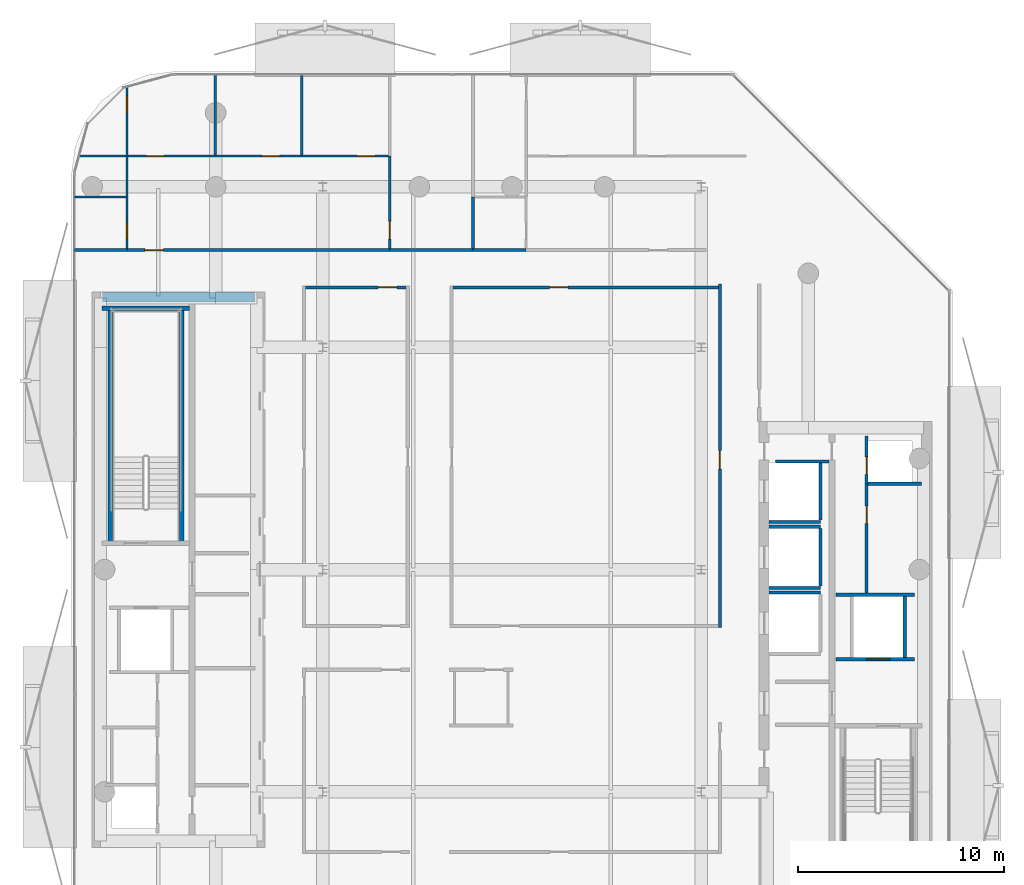
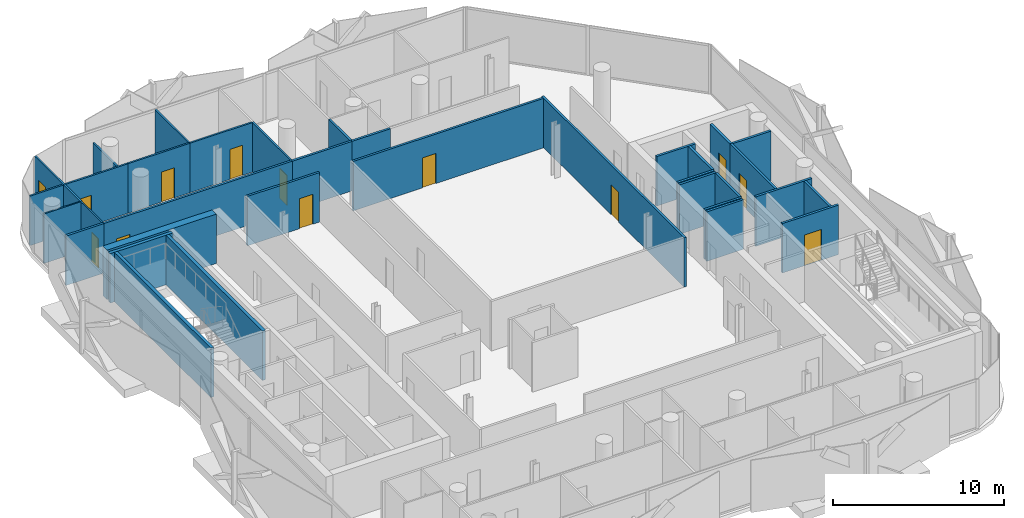
# One storey, part 7 of 16: 35 walls, 13 doors, 13 openings.
"""IFC4 building model written with IfcOpenShell, lengths in metres."""

from ifc_helpers import new_model, si_unit, direction, frame, frame_2d, origin, place, context, subcontext, project, spatial, rectangle, extrude, material, layer, layer_set, type_object, element, fill, save


model = new_model("IFC4")

# Units and contexts
model_context = context("Model", 3, precision=1e-05, world=origin(), true_north=direction((0.0, 1.0)))
body_context = subcontext(model_context, "Body", "Model", "MODEL_VIEW")
ifc_project = project(units=[si_unit("LENGTHUNIT", "METRE"), si_unit("AREAUNIT", "SQUARE_METRE"), si_unit("VOLUMEUNIT", "CUBIC_METRE"), si_unit("PLANEANGLEUNIT", "RADIAN"), si_unit("MASSUNIT", "GRAM", prefix="KILO")], contexts=[model_context])

# Site, building, storey
site_placement = place(None, origin())
site = spatial("IfcSite", under=ifc_project, at=site_placement, CompositionType="ELEMENT")
building_placement = place(site_placement, origin())
building = spatial("IfcBuilding", under=site, at=building_placement, Name="Khairoan Windgate Tower", CompositionType="ELEMENT")
storey_placement = place(building_placement, frame((0.0, 0.0, 281.39990234375)))
storey = spatial("IfcBuildingStorey", under=building, at=storey_placement, Name="L67", CompositionType="ELEMENT", Elevation=281.39990234375)

# Wall
ifc_material_1 = material(Name="Moisture-Resistant Gypsum Partition", Category="gypsum")
ifc_layer_1 = layer(ifc_material_1, 0.10009765625, Name="Moisture-Resistant Gypsum Partition")
ifc_layer_set_1 = layer_set([ifc_layer_1], Name="Moisture-Resistant Gypsum Partition")
wall_type_1 = type_object("IfcWallType", Name="Bathroom Wet-Area Partition Wall", PredefinedType="PARTITIONING", material=ifc_layer_set_1)
wall_1_placement = place(storey_placement, frame((-21.2548828125, 18.10009765625, 0.0), z_axis=(0.0, 0.0, 1.0), x_axis=(1.0, 0.0, 0.0)))
element("IfcWall", 1, at=wall_1_placement, inside=storey, type_object=wall_type_1, Name="L67 Interior Partition 035", PredefinedType="PARTITIONING", context=body_context, shape_type="SweptSolid", body=[
    extrude(rectangle(XDim=2.494873046875, YDim=0.10009765625, at=frame_2d((1.24755859375, 0.0))), origin(), (0.0, 0.0, 1.0), 3.5400390625),
])

# Wall, opening, door
wall_2_placement = place(storey_placement, frame((-18.7099609375, 15.60009765625, 0.0), z_axis=(0.0, 0.0, 1.0), x_axis=(0.0, 1.0, 0.0)))
wall_2 = element("IfcWall", 2, at=wall_2_placement, inside=storey, type_object=wall_type_1, Name="L67 Interior Partition 036", PredefinedType="PARTITIONING", context=body_context, shape_type="SweptSolid", body=[
    extrude(rectangle(XDim=2.5, YDim=0.10009765625, at=frame_2d((1.25, 0.0))), origin(), (0.0, 0.0, 1.0), 3.5400390625),
])
opening_1_placement = place(wall_2_placement, frame((0.4599609375, 0.0, 0.0)))
opening_1 = element("IfcOpeningElement", 3, at=opening_1_placement, cuts=wall_2, Name="Opening ID-BTH", PredefinedType="OPENING", context=body_context, shape_type="SweptSolid", body=[
    extrude(rectangle(XDim=0.800048828125, YDim=2.10009765625, at=frame_2d((0.39990234375, 1.050048828125))), frame((0.0, 0.06005859375, 0.0), z_axis=(0.0, -1.0, 0.0), x_axis=(1.0, 0.0, 0.0)), (0.0, 0.0, 1.0), 0.1201171875),
])
ifc_material_2 = material(Name="Teak Veneer Timber Leaf", Category="wood")
door_type_1 = type_object("IfcDoorType", Name="Internal Bathroom Door ID-BTH 800x2100", OperationType="NOTDEFINED", PredefinedType="DOOR", material=ifc_material_2)
door_1_placement = place(opening_1_placement, origin())
door_1 = element("IfcDoor", 4, at=door_1_placement, inside=storey, type_object=door_type_1, Name="L67 L67-32-L67-34 Door", OperationType="SINGLE_SWING_RIGHT", OverallHeight=2.10009765625, OverallWidth=0.800048828125, PredefinedType="DOOR", context=body_context, shape_type="SweptSolid", body=[
    extrude(rectangle(XDim=0.800048828125, YDim=2.10009765625, at=frame_2d((0.39990234375, 1.050048828125))), frame((0.0, 0.02490234375, 0.0), z_axis=(0.0, -1.0, 0.0), x_axis=(1.0, 0.0, 0.0)), (0.0, 0.0, 1.0), 0.050048828125),
])
fill(opening_1, door_1)

# Walls
ifc_material_3 = material(Name="Concrete C40/50", Category="concrete")
ifc_layer_2 = layer(ifc_material_3, 0.159912109375, Name="Concrete C40/50")
ifc_layer_set_2 = layer_set([ifc_layer_2], Name="Concrete C40/50")
wall_type_2 = type_object("IfcWallType", Name="Core and Hoistway Enclosure Wall", PredefinedType="STANDARD", material=ifc_layer_set_2)
wall_3_placement = place(storey_placement, frame((12.5, 2.31005859375, 0.0), z_axis=(0.0, 0.0, 1.0), x_axis=(1.0, 0.0, 0.0)))
element("IfcWall", 5, at=wall_3_placement, inside=storey, type_object=wall_type_2, Name="L67 Lift PL7 Hoistway Divider S", PredefinedType="STANDARD", context=body_context, shape_type="SweptSolid", body=[
    extrude(rectangle(XDim=2.489990234375, YDim=0.159912109375, at=frame_2d((1.2451171875, 0.0))), origin(), (0.0, 0.0, 1.0), 3.5400390625),
])
wall_4_placement = place(storey_placement, frame((14.989990234375, 2.39990234375, 0.0), z_axis=(0.0, 0.0, 1.0), x_axis=(0.0, 1.0, 0.0)))
element("IfcWall", 6, at=wall_4_placement, inside=storey, type_object=wall_type_2, Name="L67 Lift PL7 Hoistway Back Wall", PredefinedType="STANDARD", context=body_context, shape_type="SweptSolid", body=[
    extrude(rectangle(XDim=2.800048828125, YDim=0.159912109375, at=frame_2d((1.39990234375, 0.0))), origin(), (0.0, 0.0, 1.0), 3.5400390625),
])
for number, where, z_axis, x_axis, name in (
    (7, (12.5, -0.889892578125, 0.0), (0.0, 0.0, 1.0), (1.0, 0.0, 0.0), "L67 Lift PL8 Hoistway Divider S"),
    (8, (12.5, 2.090087890625, 0.0), (0.0, 0.0, 1.0), (1.0, 0.0, 0.0), "L67 Lift PL8 Hoistway Divider N"),
):
    element("IfcWall", number, at=place(storey_placement, frame(where, z_axis=z_axis, x_axis=x_axis)), inside=storey, type_object=wall_type_2, Name=name, PredefinedType="STANDARD", context=body_context, shape_type="SweptSolid", body=[
        extrude(rectangle(XDim=2.489990234375, YDim=0.159912109375, at=frame_2d((1.2451171875, 0.0))), origin(), (0.0, 0.0, 1.0), 3.5400390625),
    ])
wall_5_placement = place(storey_placement, frame((14.989990234375, -0.800048828125, 0.0), z_axis=(0.0, 0.0, 1.0), x_axis=(0.0, 1.0, 0.0)))
element("IfcWall", 9, at=wall_5_placement, inside=storey, type_object=wall_type_2, Name="L67 Lift PL8 Hoistway Back Wall", PredefinedType="STANDARD", context=body_context, shape_type="SweptSolid", body=[
    extrude(rectangle(XDim=2.800048828125, YDim=0.159912109375, at=frame_2d((1.39990234375, 0.0))), origin(), (0.0, 0.0, 1.0), 3.5400390625),
])
wall_6_placement = place(storey_placement, frame((12.5, -1.110107421875, 0.0), z_axis=(0.0, 0.0, 1.0), x_axis=(1.0, 0.0, 0.0)))
element("IfcWall", 10, at=wall_6_placement, inside=storey, type_object=wall_type_2, Name="L67 Lift PL9 Hoistway Divider N", PredefinedType="STANDARD", context=body_context, shape_type="SweptSolid", body=[
    extrude(rectangle(XDim=2.489990234375, YDim=0.159912109375, at=frame_2d((1.2451171875, 0.0))), origin(), (0.0, 0.0, 1.0), 3.5400390625),
])

# Wall, opening, door
wall_7_placement = place(storey_placement, frame((15.75, -4.360107421875, 0.0), z_axis=(0.0, 0.0, 1.0), x_axis=(1.0, 0.0, 0.0)))
wall_7 = element("IfcWall", 11, at=wall_7_placement, inside=storey, type_object=wall_type_2, Name="L67 Core Shaft Wall SW-FL1-L67", PredefinedType="STANDARD", context=body_context, shape_type="SweptSolid", body=[
    extrude(rectangle(XDim=3.800048828125, YDim=0.159912109375, at=frame_2d((1.89990234375, 0.0))), origin(), (0.0, 0.0, 1.0), 3.5400390625),
])
opening_2_placement = place(wall_7_placement, frame((1.469970703125, 0.0, 0.0)))
opening_2 = element("IfcOpeningElement", 12, at=opening_2_placement, cuts=wall_7, Name="Opening LD-FL", PredefinedType="OPENING", context=body_context, shape_type="SweptSolid", body=[
    extrude(rectangle(XDim=1.14990234375, YDim=2.199951171875, at=frame_2d((0.574951171875, 1.10009765625))), frame((0.0, 0.08984375, 0.0), z_axis=(0.0, -1.0, 0.0), x_axis=(1.0, 0.0, 0.0)), (0.0, 0.0, 1.0), 0.179931640625),
])
ifc_material_4 = material(Name="Steel S355", Category="steel")
door_type_2 = type_object("IfcDoorType", Name="Firefighting Lift Sliding Landing Door LD-FL 1150x2200", OperationType="DOUBLE_DOOR_SLIDING", PredefinedType="DOOR", material=ifc_material_4)
door_2_placement = place(opening_2_placement, origin())
door_2 = element("IfcDoor", 13, at=door_2_placement, inside=storey, type_object=door_type_2, Name="L67 Firefighting Lift FL1 Landing Door", OperationType="DOUBLE_DOOR_SLIDING", OverallHeight=2.199951171875, OverallWidth=1.14990234375, PredefinedType="DOOR", context=body_context, shape_type="SweptSolid", body=[
    extrude(rectangle(XDim=1.14990234375, YDim=2.199951171875, at=frame_2d((0.574951171875, 1.10009765625))), frame((0.0, 0.02490234375, 0.0), z_axis=(0.0, -1.0, 0.0), x_axis=(1.0, 0.0, 0.0)), (0.0, 0.0, 1.0), 0.050048828125),
])
fill(opening_2, door_2)

# Walls
wall_8_placement = place(storey_placement, frame((15.75, -1.219970703125, 0.0), z_axis=(0.0, 0.0, 1.0), x_axis=(1.0, 0.0, 0.0)))
element("IfcWall", 14, at=wall_8_placement, inside=storey, type_object=wall_type_2, Name="L67 Core Shaft Wall SW-FL1T-L67", PredefinedType="STANDARD", context=body_context, shape_type="SweptSolid", body=[
    extrude(rectangle(XDim=3.800048828125, YDim=0.159912109375, at=frame_2d((1.89990234375, 0.0))), origin(), (0.0, 0.0, 1.0), 3.5400390625),
])
wall_9_placement = place(storey_placement, frame((19.080078125, -4.280029296875, 0.0), z_axis=(0.0, 0.0, 1.0), x_axis=(0.0, 1.0, 0.0)))
element("IfcWall", 15, at=wall_9_placement, inside=storey, type_object=wall_type_2, Name="L67 Core Shaft Wall SW-FL1E-L67", PredefinedType="STANDARD", context=body_context, shape_type="SweptSolid", body=[
    extrude(rectangle(XDim=2.97998046875, YDim=0.159912109375, at=frame_2d((1.489990234375, 0.0))), origin(), (0.0, 0.0, 1.0), 3.5400390625),
])
wall_10_placement = place(storey_placement, frame((12.800048828125, 5.25, 0.0), z_axis=(0.0, 0.0, 1.0), x_axis=(1.0, 0.0, 0.0)))
element("IfcWall", 16, at=wall_10_placement, inside=storey, type_object=wall_type_2, Name="L67 Core Shaft Wall SW-ESV-L67", PredefinedType="STANDARD", context=body_context, shape_type="SweptSolid", body=[
    extrude(rectangle(XDim=2.599853515625, YDim=0.159912109375, at=frame_2d((1.2998046875, 0.0))), origin(), (0.0, 0.0, 1.0), 3.5400390625),
])
ifc_material_5 = material(Name="Acoustic Fire-Rated Gypsum Partition", Category="gypsum")
ifc_layer_3 = layer(ifc_material_5, 0.139892578125, Name="Acoustic Fire-Rated Gypsum Partition")
ifc_layer_set_3 = layer_set([ifc_layer_3], Name="Acoustic Fire-Rated Gypsum Partition")
wall_type_3 = type_object("IfcWallType", Name="Inter-Tenancy Compartment Wall", PredefinedType="PARTITIONING", material=ifc_layer_set_3)
wall_11_placement = place(storey_placement, frame((-1.89990234375, 15.60009765625, 0.0), z_axis=(0.0, 0.0, 1.0), x_axis=(0.0, 1.0, 0.0)))
element("IfcWall", 17, at=wall_11_placement, inside=storey, type_object=wall_type_3, Name="L67 Interior Partition 044", PredefinedType="PARTITIONING", context=body_context, shape_type="SweptSolid", body=[
    extrude(rectangle(XDim=2.5, YDim=0.139892578125, at=frame_2d((1.25, 0.0))), origin(), (0.0, 0.0, 1.0), 3.5400390625),
])
ifc_material_6 = material(Name="Gypsum Stud Partition", Category="gypsum")
ifc_layer_4 = layer(ifc_material_6, 0.1201171875, Name="Gypsum Stud Partition")
ifc_layer_set_4 = layer_set([ifc_layer_4], Name="Gypsum Stud Partition")
wall_type_4 = type_object("IfcWallType", Name="Internal Room Partition Wall", PredefinedType="PARTITIONING", material=ifc_layer_set_4)
wall_12_placement = place(storey_placement, frame((-18.7099609375, 18.10009765625, 0.0), z_axis=(0.0, 0.0, 1.0), x_axis=(0.0, 1.0, 0.0)))
element("IfcWall", 18, at=wall_12_placement, inside=storey, type_object=wall_type_4, Name="L67 Interior Partition 037", PredefinedType="PARTITIONING", context=body_context, shape_type="SweptSolid", body=[
    extrude(rectangle(XDim=2.0, YDim=0.1201171875, at=frame_2d((1.0, 0.0))), origin(), (0.0, 0.0, 1.0), 3.5400390625),
])

# Wall, opening, door
wall_13_placement = place(storey_placement, frame((-18.7099609375, 20.10009765625, 0.0), z_axis=(0.0, 0.0, 1.0), x_axis=(0.0, 1.0, 0.0)))
wall_13 = element("IfcWall", 19, at=wall_13_placement, inside=storey, type_object=wall_type_4, Name="L67 Interior Partition 038", PredefinedType="PARTITIONING", context=body_context, shape_type="SweptSolid", body=[
    extrude(rectangle(XDim=3.361328125, YDim=0.1201171875, at=frame_2d((1.6806640625, 0.0))), origin(), (0.0, 0.0, 1.0), 3.5400390625),
])
opening_3_placement = place(wall_13_placement, frame((2.1015625, 0.0, 0.0)))
opening_3 = element("IfcOpeningElement", 20, at=opening_3_placement, cuts=wall_13, Name="Opening ID-BTH", PredefinedType="OPENING", context=body_context, shape_type="SweptSolid", body=[
    extrude(rectangle(XDim=0.800048828125, YDim=2.10009765625, at=frame_2d((0.39990234375, 1.050048828125))), frame((0.0, 0.070068359375, 0.0), z_axis=(0.0, -1.0, 0.0), x_axis=(1.0, 0.0, 0.0)), (0.0, 0.0, 1.0), 0.14013671875),
])
door_3_placement = place(opening_3_placement, origin())
door_3 = element("IfcDoor", 21, at=door_3_placement, inside=storey, type_object=door_type_1, Name="L67 L67-33-L67-36 Door", OperationType="SINGLE_SWING_LEFT", OverallHeight=2.10009765625, OverallWidth=0.800048828125, PredefinedType="DOOR", context=body_context, shape_type="SweptSolid", body=[
    extrude(rectangle(XDim=0.800048828125, YDim=2.10009765625, at=frame_2d((0.39990234375, 1.050048828125))), frame((0.0, 0.02490234375, 0.0), z_axis=(0.0, -1.0, 0.0), x_axis=(1.0, 0.0, 0.0)), (0.0, 0.0, 1.0), 0.050048828125),
])
fill(opening_3, door_3)

wall_14_placement = place(storey_placement, frame((-5.93994140625, 15.60009765625, 0.0), z_axis=(0.0, 0.0, 1.0), x_axis=(0.0, 1.0, 0.0)))
wall_14 = element("IfcWall", 22, at=wall_14_placement, inside=storey, type_object=wall_type_4, Name="L67 Interior Partition 039", PredefinedType="PARTITIONING", context=body_context, shape_type="SweptSolid", body=[
    extrude(rectangle(XDim=4.5, YDim=0.1201171875, at=frame_2d((2.25, 0.0))), origin(), (0.0, 0.0, 1.0), 3.5400390625),
])
opening_4_placement = place(wall_14_placement, frame((0.4599609375, 0.0, 0.0)))
opening_4 = element("IfcOpeningElement", 23, at=opening_4_placement, cuts=wall_14, Name="Opening ID-RM", PredefinedType="OPENING", context=body_context, shape_type="SweptSolid", body=[
    extrude(rectangle(XDim=0.860107421875, YDim=2.14990234375, at=frame_2d((0.43017578125, 1.074951171875))), frame((0.0, 0.070068359375, 0.0), z_axis=(0.0, -1.0, 0.0), x_axis=(1.0, 0.0, 0.0)), (0.0, 0.0, 1.0), 0.14013671875),
])
ifc_material_7 = material(Name="Teak Veneer Timber Leaf", Category="wood")
door_type_3 = type_object("IfcDoorType", Name="Internal Bedroom and Office Door ID-RM 860x2150", OperationType="NOTDEFINED", PredefinedType="DOOR", material=ifc_material_7)
door_4_placement = place(opening_4_placement, origin())
door_4 = element("IfcDoor", 24, at=door_4_placement, inside=storey, type_object=door_type_3, Name="L67 L67-34-L67-35 Door", OperationType="SINGLE_SWING_RIGHT", OverallHeight=2.14990234375, OverallWidth=0.860107421875, PredefinedType="DOOR", context=body_context, shape_type="SweptSolid", body=[
    extrude(rectangle(XDim=0.860107421875, YDim=2.14990234375, at=frame_2d((0.43017578125, 1.074951171875))), frame((0.0, 0.02490234375, 0.0), z_axis=(0.0, -1.0, 0.0), x_axis=(1.0, 0.0, 0.0)), (0.0, 0.0, 1.0), 0.050048828125),
])
fill(opening_4, door_4)

wall_15_placement = place(storey_placement, frame((-21.03857421875, 20.10009765625, 0.0), z_axis=(0.0, 0.0, 1.0), x_axis=(1.0, 0.0, 0.0)))
wall_15 = element("IfcWall", 25, at=wall_15_placement, inside=storey, type_object=wall_type_4, Name="L67 Interior Partition 040", PredefinedType="PARTITIONING", context=body_context, shape_type="SweptSolid", body=[
    extrude(rectangle(XDim=6.611572265625, YDim=0.1201171875, at=frame_2d((3.3056640625, 0.0))), origin(), (0.0, 0.0, 1.0), 3.5400390625),
])
opening_5_placement = place(wall_15_placement, frame((3.2783203125, 0.0, 0.0)))
opening_5 = element("IfcOpeningElement", 26, at=opening_5_placement, cuts=wall_15, Name="Opening ID-RM", PredefinedType="OPENING", context=body_context, shape_type="SweptSolid", body=[
    extrude(rectangle(XDim=0.860107421875, YDim=2.14990234375, at=frame_2d((0.43017578125, 1.074951171875))), frame((0.0, 0.070068359375, 0.0), z_axis=(0.0, -1.0, 0.0), x_axis=(1.0, 0.0, 0.0)), (0.0, 0.0, 1.0), 0.14013671875),
])
door_5_placement = place(opening_5_placement, origin())
door_5 = element("IfcDoor", 27, at=door_5_placement, inside=storey, type_object=door_type_3, Name="L67 L67-34-L67-36 Door", OperationType="SINGLE_SWING_LEFT", OverallHeight=2.14990234375, OverallWidth=0.860107421875, PredefinedType="DOOR", context=body_context, shape_type="SweptSolid", body=[
    extrude(rectangle(XDim=0.860107421875, YDim=2.14990234375, at=frame_2d((0.43017578125, 1.074951171875))), frame((0.0, 0.02490234375, 0.0), z_axis=(0.0, -1.0, 0.0), x_axis=(1.0, 0.0, 0.0)), (0.0, 0.0, 1.0), 0.050048828125),
])
fill(opening_5, door_5)

wall_16_placement = place(storey_placement, frame((-14.427001953125, 20.10009765625, 0.0), z_axis=(0.0, 0.0, 1.0), x_axis=(1.0, 0.0, 0.0)))
wall_16 = element("IfcWall", 28, at=wall_16_placement, inside=storey, type_object=wall_type_4, Name="L67 Interior Partition 041", PredefinedType="PARTITIONING", context=body_context, shape_type="SweptSolid", body=[
    extrude(rectangle(XDim=4.2041015625, YDim=0.1201171875, at=frame_2d((2.10205078125, 0.0))), origin(), (0.0, 0.0, 1.0), 3.5400390625),
])
opening_6_placement = place(wall_16_placement, frame((2.278076171875, 0.0, 0.0)))
opening_6 = element("IfcOpeningElement", 29, at=opening_6_placement, cuts=wall_16, Name="Opening ID-RM", PredefinedType="OPENING", context=body_context, shape_type="SweptSolid", body=[
    extrude(rectangle(XDim=0.860107421875, YDim=2.14990234375, at=frame_2d((0.43017578125, 1.074951171875))), frame((0.0, 0.070068359375, 0.0), z_axis=(0.0, -1.0, 0.0), x_axis=(1.0, 0.0, 0.0)), (0.0, 0.0, 1.0), 0.14013671875),
])
door_6_placement = place(opening_6_placement, origin())
door_6 = element("IfcDoor", 30, at=door_6_placement, inside=storey, type_object=door_type_3, Name="L67 L67-34-L67-37 Door", OperationType="SINGLE_SWING_RIGHT", OverallHeight=2.14990234375, OverallWidth=0.860107421875, PredefinedType="DOOR", context=body_context, shape_type="SweptSolid", body=[
    extrude(rectangle(XDim=0.860107421875, YDim=2.14990234375, at=frame_2d((0.43017578125, 1.074951171875))), frame((0.0, 0.02490234375, 0.0), z_axis=(0.0, -1.0, 0.0), x_axis=(1.0, 0.0, 0.0)), (0.0, 0.0, 1.0), 0.050048828125),
])
fill(opening_6, door_6)

wall_17_placement = place(storey_placement, frame((-10.222900390625, 20.10009765625, 0.0), z_axis=(0.0, 0.0, 1.0), x_axis=(1.0, 0.0, 0.0)))
wall_17 = element("IfcWall", 31, at=wall_17_placement, inside=storey, type_object=wall_type_4, Name="L67 Interior Partition 042", PredefinedType="PARTITIONING", context=body_context, shape_type="SweptSolid", body=[
    extrude(rectangle(XDim=4.222900390625, YDim=0.1201171875, at=frame_2d((2.111328125, 0.0))), origin(), (0.0, 0.0, 1.0), 3.5400390625),
])
opening_7_placement = place(wall_17_placement, frame((2.699462890625, 0.0, 0.0)))
opening_7 = element("IfcOpeningElement", 32, at=opening_7_placement, cuts=wall_17, Name="Opening ID-RM", PredefinedType="OPENING", context=body_context, shape_type="SweptSolid", body=[
    extrude(rectangle(XDim=0.860107421875, YDim=2.14990234375, at=frame_2d((0.43017578125, 1.074951171875))), frame((0.0, 0.070068359375, 0.0), z_axis=(0.0, -1.0, 0.0), x_axis=(1.0, 0.0, 0.0)), (0.0, 0.0, 1.0), 0.14013671875),
])
door_7_placement = place(opening_7_placement, origin())
door_7 = element("IfcDoor", 33, at=door_7_placement, inside=storey, type_object=door_type_3, Name="L67 L67-34-L67-38 Door", OperationType="SINGLE_SWING_LEFT", OverallHeight=2.14990234375, OverallWidth=0.860107421875, PredefinedType="DOOR", context=body_context, shape_type="SweptSolid", body=[
    extrude(rectangle(XDim=0.860107421875, YDim=2.14990234375, at=frame_2d((0.43017578125, 1.074951171875))), frame((0.0, 0.02490234375, 0.0), z_axis=(0.0, -1.0, 0.0), x_axis=(1.0, 0.0, 0.0)), (0.0, 0.0, 1.0), 0.050048828125),
])
fill(opening_7, door_7)

# Walls
wall_18_placement = place(storey_placement, frame((-14.427001953125, 20.159912109375, 0.0), z_axis=(0.0, 0.0, 1.0), x_axis=(0.0, 1.0, 0.0)))
element("IfcWall", 34, at=wall_18_placement, inside=storey, type_object=wall_type_4, Name="L67 Interior Partition 046", PredefinedType="PARTITIONING", context=body_context, shape_type="SweptSolid", body=[
    extrude(rectangle(XDim=3.89501953125, YDim=0.1201171875, at=frame_2d((1.947509765625, 0.0))), origin(), (0.0, 0.0, 1.0), 2.64013671875),
])
wall_19_placement = place(storey_placement, frame((-10.222900390625, 20.159912109375, 0.0), z_axis=(0.0, 0.0, 1.0), x_axis=(0.0, 1.0, 0.0)))
element("IfcWall", 35, at=wall_19_placement, inside=storey, type_object=wall_type_4, Name="L67 Interior Partition 047", PredefinedType="PARTITIONING", context=body_context, shape_type="SweptSolid", body=[
    extrude(rectangle(XDim=3.89501953125, YDim=0.1201171875, at=frame_2d((1.947509765625, 0.0))), origin(), (0.0, 0.0, 1.0), 3.5400390625),
])

# Wall, opening, door
ifc_material_8 = material(Name="Concrete C40/50", Category="concrete")
ifc_layer_5 = layer(ifc_material_8, 0.159912109375, Name="Concrete C40/50")
ifc_layer_set_5 = layer_set([ifc_layer_5], Name="Concrete C40/50")
wall_type_5 = type_object("IfcWallType", Name="Plant and Refuge Compartment Wall", PredefinedType="PARTITIONING", material=ifc_layer_set_5)
wall_20_placement = place(storey_placement, frame((17.22998046875, 4.169921875, 0.0), z_axis=(0.0, 0.0, 1.0), x_axis=(0.0, 1.0, 0.0)))
wall_20 = element("IfcWall", 36, at=wall_20_placement, inside=storey, type_object=wall_type_5, Name="L67 Interior Partition 008", PredefinedType="PARTITIONING", context=body_context, shape_type="SweptSolid", body=[
    extrude(rectangle(XDim=2.320068359375, YDim=0.159912109375, at=frame_2d((1.16015625, 0.0))), origin(), (0.0, 0.0, 1.0), 3.5400390625),
])
opening_8_placement = place(wall_20_placement, frame((0.4599609375, 0.0, 0.0)))
opening_8 = element("IfcOpeningElement", 37, at=opening_8_placement, cuts=wall_20, Name="Opening FD-SRV", PredefinedType="OPENING", context=body_context, shape_type="SweptSolid", body=[
    extrude(rectangle(XDim=0.85009765625, YDim=2.10009765625, at=frame_2d((0.425048828125, 1.050048828125))), frame((0.0, 0.08984375, 0.0), z_axis=(0.0, -1.0, 0.0), x_axis=(1.0, 0.0, 0.0)), (0.0, 0.0, 1.0), 0.179931640625),
])
ifc_material_9 = material(Name="Steel S355", Category="steel")
door_type_4 = type_object("IfcDoorType", Name="Core Service and Riser Fire Door FD-SRV 850x2100", OperationType="NOTDEFINED", PredefinedType="DOOR", material=ifc_material_9)
door_8_placement = place(opening_8_placement, origin())
door_8 = element("IfcDoor", 38, at=door_8_placement, inside=storey, type_object=door_type_4, Name="L67 L67-17-L67-18 Door", OperationType="SINGLE_SWING_LEFT", OverallHeight=2.10009765625, OverallWidth=0.85009765625, PredefinedType="DOOR", context=body_context, shape_type="SweptSolid", body=[
    extrude(rectangle(XDim=0.85009765625, YDim=2.10009765625, at=frame_2d((0.425048828125, 1.050048828125))), frame((0.0, 0.02490234375, 0.0), z_axis=(0.0, -1.0, 0.0), x_axis=(1.0, 0.0, 0.0)), (0.0, 0.0, 1.0), 0.050048828125),
])
fill(opening_8, door_8)

wall_21_placement = place(storey_placement, frame((17.22998046875, -1.139892578125, 0.0), z_axis=(0.0, 0.0, 1.0), x_axis=(0.0, 1.0, 0.0)))
wall_21 = element("IfcWall", 39, at=wall_21_placement, inside=storey, type_object=wall_type_5, Name="L67 Interior Partition 009", PredefinedType="PARTITIONING", context=body_context, shape_type="SweptSolid", body=[
    extrude(rectangle(XDim=5.309814453125, YDim=0.159912109375, at=frame_2d((2.65478515625, 0.0))), origin(), (0.0, 0.0, 1.0), 3.5400390625),
])
opening_9_placement = place(wall_21_placement, frame((3.375244140625, 0.0, 0.0)))
opening_9 = element("IfcOpeningElement", 40, at=opening_9_placement, cuts=wall_21, Name="Opening FD-SRV", PredefinedType="OPENING", context=body_context, shape_type="SweptSolid", body=[
    extrude(rectangle(XDim=0.85009765625, YDim=2.10009765625, at=frame_2d((0.425048828125, 1.050048828125))), frame((0.0, 0.08984375, 0.0), z_axis=(0.0, -1.0, 0.0), x_axis=(1.0, 0.0, 0.0)), (0.0, 0.0, 1.0), 0.179931640625),
])
door_9_placement = place(opening_9_placement, origin())
door_9 = element("IfcDoor", 41, at=door_9_placement, inside=storey, type_object=door_type_4, Name="L67 L67-17-L67-19 Door", OperationType="SINGLE_SWING_RIGHT", OverallHeight=2.10009765625, OverallWidth=0.85009765625, PredefinedType="DOOR", context=body_context, shape_type="SweptSolid", body=[
    extrude(rectangle(XDim=0.85009765625, YDim=2.10009765625, at=frame_2d((0.425048828125, 1.050048828125))), frame((0.0, 0.02490234375, 0.0), z_axis=(0.0, -1.0, 0.0), x_axis=(1.0, 0.0, 0.0)), (0.0, 0.0, 1.0), 0.050048828125),
])
fill(opening_9, door_9)

# Wall
wall_22_placement = place(storey_placement, frame((17.31005859375, 4.169921875, 0.0), z_axis=(0.0, 0.0, 1.0), x_axis=(1.0, 0.0, 0.0)))
element("IfcWall", 42, at=wall_22_placement, inside=storey, type_object=wall_type_5, Name="L67 Interior Partition 010", PredefinedType="PARTITIONING", context=body_context, shape_type="SweptSolid", body=[
    extrude(rectangle(XDim=2.58984375, YDim=0.159912109375, at=frame_2d((1.294921875, 0.0))), origin(), (0.0, 0.0, 1.0), 3.5400390625),
])

# Wall, opening, door
ifc_material_10 = material(Name="Acoustic Fire-Rated Gypsum Partition", Category="gypsum")
ifc_layer_6 = layer(ifc_material_10, 0.14990234375, Name="Acoustic Fire-Rated Gypsum Partition")
ifc_layer_set_6 = layer_set([ifc_layer_6], Name="Acoustic Fire-Rated Gypsum Partition")
wall_type_6 = type_object("IfcWallType", Name="Rated Corridor Partition Wall", PredefinedType="PARTITIONING", material=ifc_layer_set_6)
wall_23_placement = place(storey_placement, frame((10.10009765625, -2.81005859375, 0.0), z_axis=(0.0, 0.0, 1.0), x_axis=(0.0, 1.0, 0.0)))
wall_23 = element("IfcWall", 43, at=wall_23_placement, inside=storey, type_object=wall_type_6, Name="L67 Interior Partition 014", PredefinedType="PARTITIONING", context=body_context, shape_type="SweptSolid", body=[
    extrude(rectangle(XDim=16.68994140625, YDim=0.14990234375, at=frame_2d((8.344970703125, 0.0))), origin(), (0.0, 0.0, 1.0), 3.5400390625),
])
opening_10_placement = place(wall_23_placement, frame((7.694091796875, 0.0, 0.0)))
opening_10 = element("IfcOpeningElement", 44, at=opening_10_placement, cuts=wall_23, Name="Opening FD-ENT", PredefinedType="OPENING", context=body_context, shape_type="SweptSolid", body=[
    extrude(rectangle(XDim=0.89990234375, YDim=2.14990234375, at=frame_2d((0.449951171875, 1.074951171875))), frame((0.0, 0.0849609375, 0.0), z_axis=(0.0, -1.0, 0.0), x_axis=(1.0, 0.0, 0.0)), (0.0, 0.0, 1.0), 0.169921875),
])
ifc_material_11 = material(Name="Timber Fire-Rated Core", Category="wood")
door_type_5 = type_object("IfcDoorType", Name="Unit and Office Fire Entrance Door FD-ENT 900x2150", OperationType="NOTDEFINED", PredefinedType="DOOR", material=ifc_material_11)
door_10_placement = place(opening_10_placement, origin())
door_10 = element("IfcDoor", 45, at=door_10_placement, inside=storey, type_object=door_type_5, Name="L67 L67-27-L67-59 Door", OperationType="SINGLE_SWING_RIGHT", OverallHeight=2.14990234375, OverallWidth=0.89990234375, PredefinedType="DOOR", context=body_context, shape_type="SweptSolid", body=[
    extrude(rectangle(XDim=0.89990234375, YDim=2.14990234375, at=frame_2d((0.449951171875, 1.074951171875))), frame((0.0, 0.02490234375, 0.0), z_axis=(0.0, -1.0, 0.0), x_axis=(1.0, 0.0, 0.0)), (0.0, 0.0, 1.0), 0.050048828125),
])
fill(opening_10, door_10)

# Wall
wall_24_placement = place(storey_placement, frame((-21.2548828125, 15.52490234375, 0.0), z_axis=(0.0, 0.0, 1.0), x_axis=(1.0, 0.0, 0.0)))
element("IfcWall", 46, at=wall_24_placement, inside=storey, type_object=wall_type_6, Name="L67 Interior Partition 022", PredefinedType="PARTITIONING", context=body_context, shape_type="SweptSolid", body=[
    extrude(rectangle(XDim=2.544921875, YDim=0.14990234375, at=frame_2d((1.2724609375, 0.0))), origin(), (0.0, 0.0, 1.0), 3.5400390625),
])

# Wall, opening, door
wall_25_placement = place(storey_placement, frame((-18.7099609375, 15.52490234375, 0.0), z_axis=(0.0, 0.0, 1.0), x_axis=(1.0, 0.0, 0.0)))
wall_25 = element("IfcWall", 47, at=wall_25_placement, inside=storey, type_object=wall_type_6, Name="L67 Interior Partition 023", PredefinedType="PARTITIONING", context=body_context, shape_type="SweptSolid", body=[
    extrude(rectangle(XDim=12.77001953125, YDim=0.14990234375, at=frame_2d((6.385009765625, 0.0))), origin(), (0.0, 0.0, 1.0), 3.5400390625),
])
opening_11_placement = place(wall_25_placement, frame((0.865478515625, 0.0, 0.0)))
opening_11 = element("IfcOpeningElement", 48, at=opening_11_placement, cuts=wall_25, Name="Opening FD-ENT", PredefinedType="OPENING", context=body_context, shape_type="SweptSolid", body=[
    extrude(rectangle(XDim=0.89990234375, YDim=2.14990234375, at=frame_2d((0.449951171875, 1.074951171875))), frame((0.0, 0.0849609375, 0.0), z_axis=(0.0, -1.0, 0.0), x_axis=(1.0, 0.0, 0.0)), (0.0, 0.0, 1.0), 0.169921875),
])
door_11_placement = place(opening_11_placement, origin())
door_11 = element("IfcDoor", 49, at=door_11_placement, inside=storey, type_object=door_type_5, Name="L67 L67-30-L67-34 Door", OperationType="SINGLE_SWING_RIGHT", OverallHeight=2.14990234375, OverallWidth=0.89990234375, PredefinedType="DOOR", context=body_context, shape_type="SweptSolid", body=[
    extrude(rectangle(XDim=0.89990234375, YDim=2.14990234375, at=frame_2d((0.449951171875, 1.074951171875))), frame((0.0, 0.02490234375, 0.0), z_axis=(0.0, -1.0, 0.0), x_axis=(1.0, 0.0, 0.0)), (0.0, 0.0, 1.0), 0.050048828125),
])
fill(opening_11, door_11)

# Walls
wall_26_placement = place(storey_placement, frame((-5.93994140625, 15.52490234375, 0.0), z_axis=(0.0, 0.0, 1.0), x_axis=(1.0, 0.0, 0.0)))
element("IfcWall", 50, at=wall_26_placement, inside=storey, type_object=wall_type_6, Name="L67 Interior Partition 024", PredefinedType="PARTITIONING", context=body_context, shape_type="SweptSolid", body=[
    extrude(rectangle(XDim=4.0400390625, YDim=0.14990234375, at=frame_2d((2.02001953125, 0.0))), origin(), (0.0, 0.0, 1.0), 3.5400390625),
])
wall_27_placement = place(storey_placement, frame((-1.89990234375, 15.52490234375, 0.0), z_axis=(0.0, 0.0, 1.0), x_axis=(1.0, 0.0, 0.0)))
element("IfcWall", 51, at=wall_27_placement, inside=storey, type_object=wall_type_6, Name="L67 Interior Partition 025", PredefinedType="PARTITIONING", context=body_context, shape_type="SweptSolid", body=[
    extrude(rectangle(XDim=2.58984375, YDim=0.14990234375, at=frame_2d((1.294921875, 0.0))), origin(), (0.0, 0.0, 1.0), 3.5400390625),
])

# Wall, opening, door
wall_28_placement = place(storey_placement, frame((-10.02490234375, 13.719970703125, 0.0), z_axis=(0.0, 0.0, 1.0), x_axis=(1.0, 0.0, 0.0)))
wall_28 = element("IfcWall", 52, at=wall_28_placement, inside=storey, type_object=wall_type_6, Name="L67 Interior Partition 027", PredefinedType="PARTITIONING", context=body_context, shape_type="SweptSolid", body=[
    extrude(rectangle(XDim=4.885009765625, YDim=0.14990234375, at=frame_2d((2.4423828125, 0.0))), origin(), (0.0, 0.0, 1.0), 3.5400390625),
])
opening_12_placement = place(wall_28_placement, frame((3.52490234375, 0.0, 0.0)))
opening_12 = element("IfcOpeningElement", 53, at=opening_12_placement, cuts=wall_28, Name="Opening FD-ENT", PredefinedType="OPENING", context=body_context, shape_type="SweptSolid", body=[
    extrude(rectangle(XDim=0.89990234375, YDim=2.14990234375, at=frame_2d((0.449951171875, 1.074951171875))), frame((0.0, 0.0849609375, 0.0), z_axis=(0.0, -1.0, 0.0), x_axis=(1.0, 0.0, 0.0)), (0.0, 0.0, 1.0), 0.169921875),
])
door_12_placement = place(opening_12_placement, origin())
door_12 = element("IfcDoor", 54, at=door_12_placement, inside=storey, type_object=door_type_5, Name="L67 L67-30-L67-57 Door", OperationType="SINGLE_SWING_RIGHT", OverallHeight=2.14990234375, OverallWidth=0.89990234375, PredefinedType="DOOR", context=body_context, shape_type="SweptSolid", body=[
    extrude(rectangle(XDim=0.89990234375, YDim=2.14990234375, at=frame_2d((0.449951171875, 1.074951171875))), frame((0.0, 0.02490234375, 0.0), z_axis=(0.0, -1.0, 0.0), x_axis=(1.0, 0.0, 0.0)), (0.0, 0.0, 1.0), 0.050048828125),
])
fill(opening_12, door_12)

wall_29_placement = place(storey_placement, frame((-2.860107421875, 13.719970703125, 0.0), z_axis=(0.0, 0.0, 1.0), x_axis=(1.0, 0.0, 0.0)))
wall_29 = element("IfcWall", 55, at=wall_29_placement, inside=storey, type_object=wall_type_6, Name="L67 Interior Partition 028", PredefinedType="PARTITIONING", context=body_context, shape_type="SweptSolid", body=[
    extrude(rectangle(XDim=12.885009765625, YDim=0.14990234375, at=frame_2d((6.4423828125, 0.0))), origin(), (0.0, 0.0, 1.0), 3.5400390625),
])
opening_13_placement = place(wall_29_placement, frame((4.6923828125, 0.0, 0.0)))
opening_13 = element("IfcOpeningElement", 56, at=opening_13_placement, cuts=wall_29, Name="Opening FD-ENT", PredefinedType="OPENING", context=body_context, shape_type="SweptSolid", body=[
    extrude(rectangle(XDim=0.89990234375, YDim=2.14990234375, at=frame_2d((0.449951171875, 1.074951171875))), frame((0.0, 0.0849609375, 0.0), z_axis=(0.0, -1.0, 0.0), x_axis=(1.0, 0.0, 0.0)), (0.0, 0.0, 1.0), 0.169921875),
])
door_13_placement = place(opening_13_placement, origin())
door_13 = element("IfcDoor", 57, at=door_13_placement, inside=storey, type_object=door_type_5, Name="L67 L67-30-L67-59 Door", OperationType="SINGLE_SWING_LEFT", OverallHeight=2.14990234375, OverallWidth=0.89990234375, PredefinedType="DOOR", context=body_context, shape_type="SweptSolid", body=[
    extrude(rectangle(XDim=0.89990234375, YDim=2.14990234375, at=frame_2d((0.449951171875, 1.074951171875))), frame((0.0, 0.02490234375, 0.0), z_axis=(0.0, -1.0, 0.0), x_axis=(1.0, 0.0, 0.0)), (0.0, 0.0, 1.0), 0.050048828125),
])
fill(opening_13, door_13)

# Walls
ifc_material_12 = material(Name="Concrete C50/60", Category="concrete")
ifc_layer_7 = layer(ifc_material_12, 0.5, Name="Concrete C50/60")
ifc_layer_set_7 = layer_set([ifc_layer_7], Name="Concrete C50/60")
wall_type_7 = type_object("IfcWallType", Name="Shear Wall CW-W3 500mm", PredefinedType="SHEAR", material=ifc_layer_set_7)
wall_30_placement = place(storey_placement, frame((-19.89990234375, 13.25, 0.0), z_axis=(0.0, 0.0, 1.0), x_axis=(1.0, 0.0, 0.0)))
element("IfcWall", 58, at=wall_30_placement, inside=storey, type_object=wall_type_7, Name="W Core North Shear Wall L67", PredefinedType="SHEAR", context=body_context, shape_type="SweptSolid", body=[
    extrude(rectangle(XDim=7.39990234375, YDim=0.5, at=frame_2d((3.699951171875, 0.0))), origin(), (0.0, 0.0, 1.0), 3.5400390625),
])
ifc_material_13 = material(Name="Concrete C50/60", Category="concrete")
ifc_layer_8 = layer(ifc_material_13, 0.219970703125, Name="Concrete C50/60")
ifc_layer_set_8 = layer_set([ifc_layer_8], Name="Concrete C50/60")
wall_type_8 = type_object("IfcWallType", Name="Shear Wall SW-ST 220mm", PredefinedType="SHEAR", material=ifc_layer_set_8)
for number, where, z_axis, x_axis, name in (
    (59, (-16.0400390625, 1.2900390625, 0.0), (0.0, 0.0, 1.0), (0.0, 1.0, 0.0), "L67 Stair ST2 East Bearing Wall"),
    (60, (-19.530029296875, 1.2900390625, 0.0), (0.0, 0.0, 1.0), (0.0, 1.0, 0.0), "L67 Stair ST2 West Bearing Wall"),
):
    element("IfcWall", number, at=place(storey_placement, frame(where, z_axis=z_axis, x_axis=x_axis)), inside=storey, type_object=wall_type_8, Name=name, PredefinedType="SHEAR", context=body_context, shape_type="SweptSolid", body=[
        extrude(rectangle(XDim=11.419921875, YDim=0.219970703125, at=frame_2d((5.7099609375, 0.0))), origin(), (0.0, 0.0, 1.0), 3.5400390625),
    ])
wall_31_placement = place(storey_placement, frame((-19.919921875, 12.7099609375, 0.0), z_axis=(0.0, 0.0, 1.0), x_axis=(1.0, 0.0, 0.0)))
element("IfcWall", 61, at=wall_31_placement, inside=storey, type_object=wall_type_8, Name="L67 Stair ST2 North Bearing Wall", PredefinedType="SHEAR", context=body_context, shape_type="SweptSolid", body=[
    extrude(rectangle(XDim=4.239990234375, YDim=0.219970703125, at=frame_2d((2.1201171875, 0.0))), origin(), (0.0, 0.0, 1.0), 3.5400390625),
])

save(model, "model.ifc")
